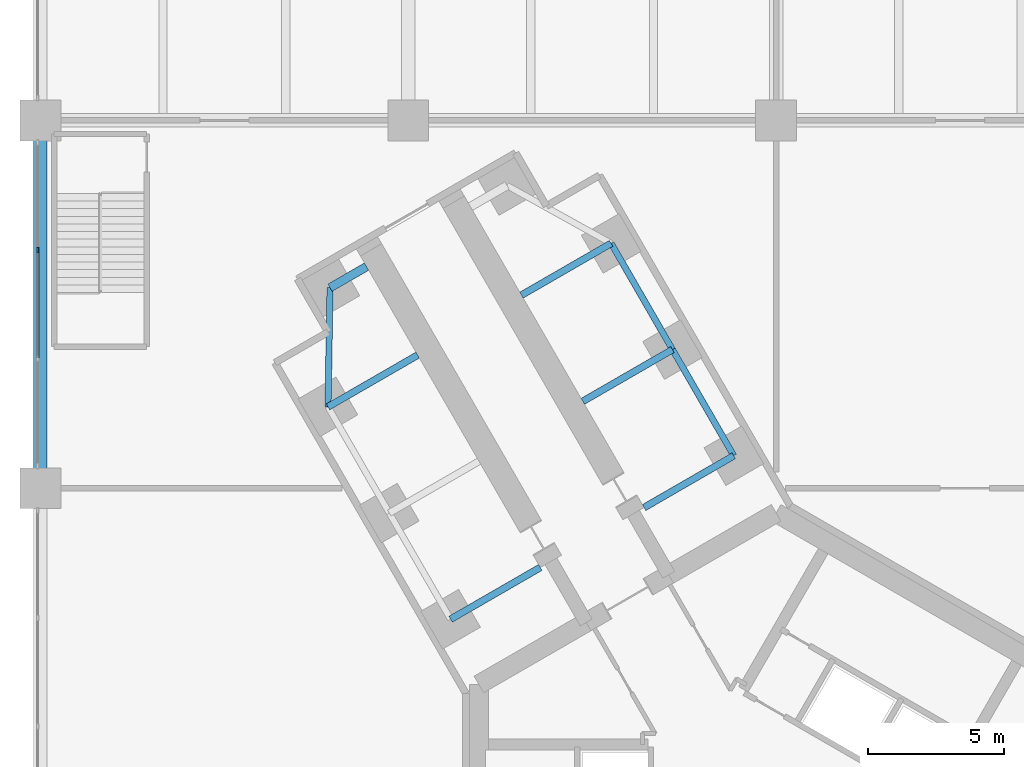
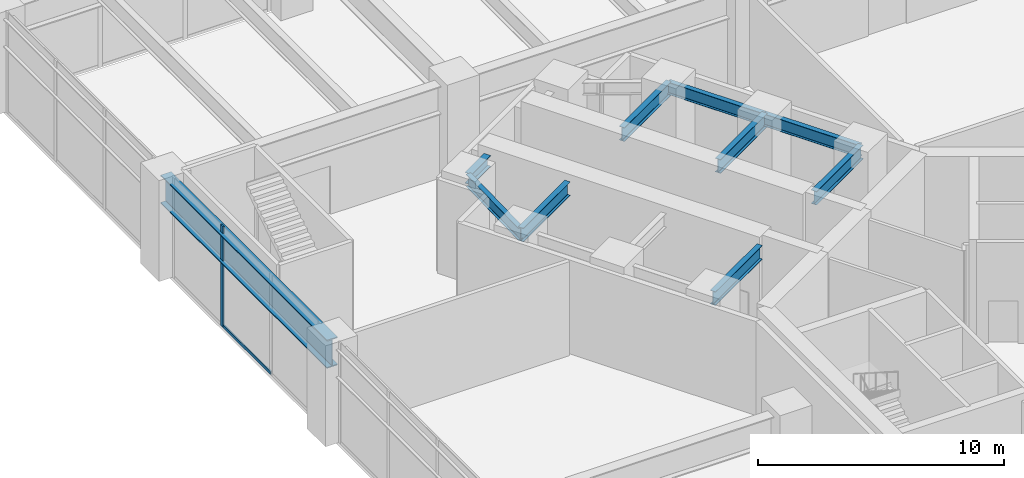
# One storey, part 7 of 32: 10 beams, 2 members, 1 element without a shape of its own.
"""IFC4 building model written with IfcOpenShell, lengths in metres."""

from ifc_helpers import new_model, si_unit, direction, frame, origin, origin_2d, place, context, subcontext, project, spatial, rectangle, i_section, extrude, material, material_profile, profile_set, type_object, element, aggregate, save


model = new_model("IFC4")

# Units and contexts
model_context = context("Model", 3, precision=1e-05, world=origin(), true_north=direction((0.0, 1.0)))
body_context = subcontext(model_context, "Body", "Model", "MODEL_VIEW")
ifc_project = project(units=[si_unit("LENGTHUNIT", "METRE"), si_unit("AREAUNIT", "SQUARE_METRE"), si_unit("VOLUMEUNIT", "CUBIC_METRE"), si_unit("PLANEANGLEUNIT", "RADIAN"), si_unit("MASSUNIT", "GRAM", prefix="KILO")], contexts=[model_context])

# Site, building, storey
site_placement = place(None, origin())
site = spatial("IfcSite", under=ifc_project, at=site_placement, CompositionType="ELEMENT")
building_placement = place(site_placement, origin())
building = spatial("IfcBuilding", under=site, at=building_placement, Name="Upepo Twin Towers", CompositionType="ELEMENT")
storey_placement = place(building_placement, frame((0.0, 0.0, 10.5)))
storey = spatial("IfcBuildingStorey", under=building, at=storey_placement, Name="L02", CompositionType="ELEMENT", Elevation=10.5)

# Beams
ifc_material_1 = material(Name="Steel S355", Category="steel")
ifc_material_profile_1 = material_profile(ifc_material_1, i_section(OverallWidth=0.5, OverallDepth=1.39990234375, WebThickness=0.02490234375, FlangeThickness=0.050048828125, FilletRadius=0.008056640625, at=origin_2d()), Name="PG 1400x500x25x50")
ifc_profile_set_1 = profile_set([ifc_material_profile_1], Name="Steel S355")
beam_type_1 = type_object("IfcBeamType", Name="Beam PG 1400x500x25x50", PredefinedType="BEAM", material=ifc_profile_set_1)
beam_1_placement = place(storey_placement, frame((-27.0, 13.5, 3.949951171875), z_axis=(0.0, 1.0, 0.0), x_axis=(-1.0, 0.0, 0.0)))
element("IfcBeam", 1, at=beam_1_placement, inside=storey, type_object=beam_type_1, Name="Podium girder 1/E-F", PredefinedType="BEAM", context=body_context, shape_type="SweptSolid", body=[
    extrude(i_section(OverallWidth=0.5, OverallDepth=1.39990234375, WebThickness=0.02490234375, FlangeThickness=0.050048828125, FilletRadius=0.008056640625, at=origin_2d()), origin(), (0.0, 0.0, 1.0), 13.5),
])
ifc_material_2 = material(Name="Steel S355", Category="steel")
ifc_material_profile_2 = material_profile(ifc_material_2, i_section(OverallWidth=0.31201171875, OverallDepth=0.54345703125, WebThickness=0.0126953125, FlangeThickness=0.020263671875, FilletRadius=0.0126953125, at=origin_2d()), Name="UB 533x312x150")
ifc_profile_set_2 = profile_set([ifc_material_profile_2], Name="Steel S355")
beam_type_2 = type_object("IfcBeamType", Name="Beam UB 533x312x150", PredefinedType="BEAM", material=ifc_profile_set_2)
beam_2_placement = place(storey_placement, frame((-16.37255859375, 20.858154296875, 4.378173828125), z_axis=(0.866043940782, 0.499967891604, 0.0), x_axis=(-0.499967891604, 0.866043940782, 0.0)))
element("IfcBeam", 2, at=beam_2_placement, inside=storey, type_object=beam_type_2, Name="T1 nose beam BL", PredefinedType="BEAM", context=body_context, shape_type="SweptSolid", body=[
    extrude(i_section(OverallWidth=0.31201171875, OverallDepth=0.54345703125, WebThickness=0.0126953125, FlangeThickness=0.020263671875, FilletRadius=0.0126953125, at=origin_2d()), origin(), (0.0, 0.0, 1.0), 1.5498046875),
])
ifc_material_3 = material(Name="Steel S355", Category="steel")
ifc_material_profile_3 = material_profile(ifc_material_3, i_section(OverallWidth=0.228271484375, OverallDepth=0.607666015625, WebThickness=0.010986328125, FlangeThickness=0.017333984375, FilletRadius=0.0126953125, at=origin_2d()), Name="UB 610x229x113")
ifc_profile_set_3 = profile_set([ifc_material_profile_3], Name="Steel S355")
beam_type_3 = type_object("IfcBeamType", Name="Beam UB 610x229x113", PredefinedType="BEAM", material=ifc_profile_set_3)
beam_3_placement = place(storey_placement, frame((-16.446044921875, 16.485595703125, 4.34619140625), z_axis=(0.016803880528, 0.999858804832, 0.0), x_axis=(-0.999858804832, 0.016803880528, 0.0)))
element("IfcBeam", 3, at=beam_3_placement, inside=storey, type_object=beam_type_3, Name="T1 nose edge beam BL", PredefinedType="BEAM", context=body_context, shape_type="SweptSolid", body=[
    extrude(i_section(OverallWidth=0.228271484375, OverallDepth=0.607666015625, WebThickness=0.010986328125, FlangeThickness=0.017333984375, FilletRadius=0.0126953125, at=origin_2d()), origin(), (0.0, 0.0, 1.0), 4.373291015625),
])
beam_4_placement = place(storey_placement, frame((-1.553955078125, 14.69140625, 4.34619140625), z_axis=(-0.500013631625, 0.866017533419, 0.0), x_axis=(-0.866017533419, -0.500013631625, 0.0)))
element("IfcBeam", 4, at=beam_4_placement, inside=storey, type_object=beam_type_3, Name="T1 edge beam BR 13.5-18.0", PredefinedType="BEAM", context=body_context, shape_type="SweptSolid", body=[
    extrude(i_section(OverallWidth=0.228271484375, OverallDepth=0.607666015625, WebThickness=0.010986328125, FlangeThickness=0.017333984375, FilletRadius=0.0126953125, at=origin_2d()), origin(), (0.0, 0.0, 1.0), 4.499755859375),
])
beam_5_placement = place(storey_placement, frame((-3.803955078125, 18.58837890625, 4.34619140625), z_axis=(-0.499990139034, 0.866031096941, 0.0), x_axis=(-0.866031096941, -0.499990139034, 0.0)))
element("IfcBeam", 5, at=beam_5_placement, inside=storey, type_object=beam_type_3, Name="T1 edge beam BR 18.0-22.5", PredefinedType="BEAM", context=body_context, shape_type="SweptSolid", body=[
    extrude(i_section(OverallWidth=0.228271484375, OverallDepth=0.607666015625, WebThickness=0.010986328125, FlangeThickness=0.017333984375, FilletRadius=0.0126953125, at=origin_2d()), origin(), (0.0, 0.0, 1.0), 4.5),
])
ifc_material_4 = material(Name="Steel S355", Category="steel")
ifc_material_profile_4 = material_profile(ifc_material_4, i_section(OverallWidth=0.253662109375, OverallDepth=0.68359375, WebThickness=0.012451171875, FlangeThickness=0.01904296875, FilletRadius=0.01513671875, at=origin_2d()), Name="UB 686x254x140")
ifc_profile_set_4 = profile_set([ifc_material_profile_4], Name="Steel S355")
beam_type_4 = type_object("IfcBeamType", Name="Beam UB 686x254x140", PredefinedType="BEAM", material=ifc_profile_set_4)
for number, where, z_axis, x_axis, name in (
    (6, (-11.946044921875, 8.69140625, 4.308349609375), (0.866028304915, 0.499994975061, 0.0), (-0.499994975061, 0.866028304915, 0.0), "T1 girder BL at 13.5"),
    (7, (-16.446044921875, 16.485595703125, 4.308349609375), (0.866028304915, 0.499994975061, 0.0), (-0.499994975061, 0.866028304915, 0.0), "T1 girder BL at 22.5"),
):
    element("IfcBeam", number, at=place(storey_placement, frame(where, z_axis=z_axis, x_axis=x_axis)), inside=storey, type_object=beam_type_4, Name=name, PredefinedType="BEAM", context=body_context, shape_type="SweptSolid", body=[
        extrude(i_section(OverallWidth=0.253662109375, OverallDepth=0.68359375, WebThickness=0.012451171875, FlangeThickness=0.01904296875, FilletRadius=0.01513671875, at=origin_2d()), origin(), (0.0, 0.0, 1.0), 3.7998046875),
    ])
beam_6_placement = place(storey_placement, frame((-1.553955078125, 14.69140625, 4.308349609375), z_axis=(-0.866000483506, -0.500043160704, 0.0), x_axis=(0.500043160704, -0.866000483506, 0.0)))
element("IfcBeam", 8, at=beam_6_placement, inside=storey, type_object=beam_type_4, Name="T1 girder BR at 13.5", PredefinedType="BEAM", context=body_context, shape_type="SweptSolid", body=[
    extrude(i_section(OverallWidth=0.253662109375, OverallDepth=0.68359375, WebThickness=0.012451171875, FlangeThickness=0.01904296875, FilletRadius=0.01513671875, at=origin_2d()), origin(), (0.0, 0.0, 1.0), 3.800048828125),
])
for number, where, z_axis, x_axis, name in (
    (9, (-3.803955078125, 18.58837890625, 4.308349609375), (-0.866028304915, -0.499994975061, 0.0), (0.499994975061, -0.866028304915, 0.0), "T1 girder BR at 18.0"),
    (10, (-6.053955078125, 22.485595703125, 4.308349609375), (-0.866028304915, -0.499994975061, 0.0), (0.499994975061, -0.866028304915, 0.0), "T1 girder BR at 22.5"),
):
    element("IfcBeam", number, at=place(storey_placement, frame(where, z_axis=z_axis, x_axis=x_axis)), inside=storey, type_object=beam_type_4, Name=name, PredefinedType="BEAM", context=body_context, shape_type="SweptSolid", body=[
        extrude(i_section(OverallWidth=0.253662109375, OverallDepth=0.68359375, WebThickness=0.012451171875, FlangeThickness=0.01904296875, FilletRadius=0.01513671875, at=origin_2d()), origin(), (0.0, 0.0, 1.0), 3.7998046875),
    ])

# Curtain wall, members
ifc_material_5 = material(Name="Aluminium and clear glass", Category="aluminium")
curtain_wall_type = type_object("IfcCurtainWallType", Name="Podium curtain wall PW1", PredefinedType="NOTDEFINED", material=ifc_material_5)
curtain_wall_placement = place(storey_placement, origin())
curtain_wall = element("IfcCurtainWall", 11, at=curtain_wall_placement, inside=storey, type_object=curtain_wall_type, Name="Podium L02 curtain wall W2", PredefinedType="NOTDEFINED")
ifc_material_6 = material(Name="Aluminium mullion", Category="aluminium")
ifc_material_profile_5 = material_profile(ifc_material_6, rectangle(XDim=0.06494140625, YDim=0.199951171875, at=origin_2d()), Name="MULLION 65x200 PODIUM")
ifc_profile_set_5 = profile_set([ifc_material_profile_5], Name="Aluminium mullion")
member_type_1 = type_object("IfcMemberType", Name="Mullion 65x200 PW1", PredefinedType="MULLION", material=ifc_profile_set_5)
member_1_placement = place(storey_placement, frame((-27.10009765625, 22.23828125, 0.0), z_axis=(0.0, 0.0, 1.0), x_axis=(1.0, 0.0, 0.0)))
member_1 = element("IfcMember", 12, at=member_1_placement, type_object=member_type_1, Name="Podium L02 curtain wall W2 mullion 2", PredefinedType="MULLION", context=body_context, shape_type="SweptSolid", body=[
    extrude(rectangle(XDim=0.06494140625, YDim=0.199951171875, at=origin_2d()), origin(), (0.0, 0.0, 1.0), 5.0),
])
ifc_material_7 = material(Name="Aluminium transom", Category="aluminium")
ifc_material_profile_6 = material_profile(ifc_material_7, rectangle(XDim=0.06494140625, YDim=0.14990234375, at=origin_2d()), Name="TRANSOM 65x150 PODIUM")
ifc_profile_set_6 = profile_set([ifc_material_profile_6], Name="Aluminium transom")
member_type_2 = type_object("IfcMemberType", Name="Transom 65x150 PW1", PredefinedType="USERDEFINED", material=ifc_profile_set_6)
member_2_placement = place(storey_placement, frame((-27.10009765625, 22.205810546875, 0.074951171875), z_axis=(0.0, -1.0, 0.0), x_axis=(1.0, 0.0, 0.0)))
member_2 = element("IfcMember", 13, at=member_2_placement, type_object=member_type_2, Name="Podium L02 curtain wall W2 transom 2", ObjectType="TRANSOM", PredefinedType="USERDEFINED", context=body_context, shape_type="SweptSolid", body=[
    extrude(rectangle(XDim=0.06494140625, YDim=0.14990234375, at=origin_2d()), origin(), (0.0, 0.0, 1.0), 3.91162109375),
])
aggregate(curtain_wall, [member_1, member_2])

save(model, "model.ifc")
